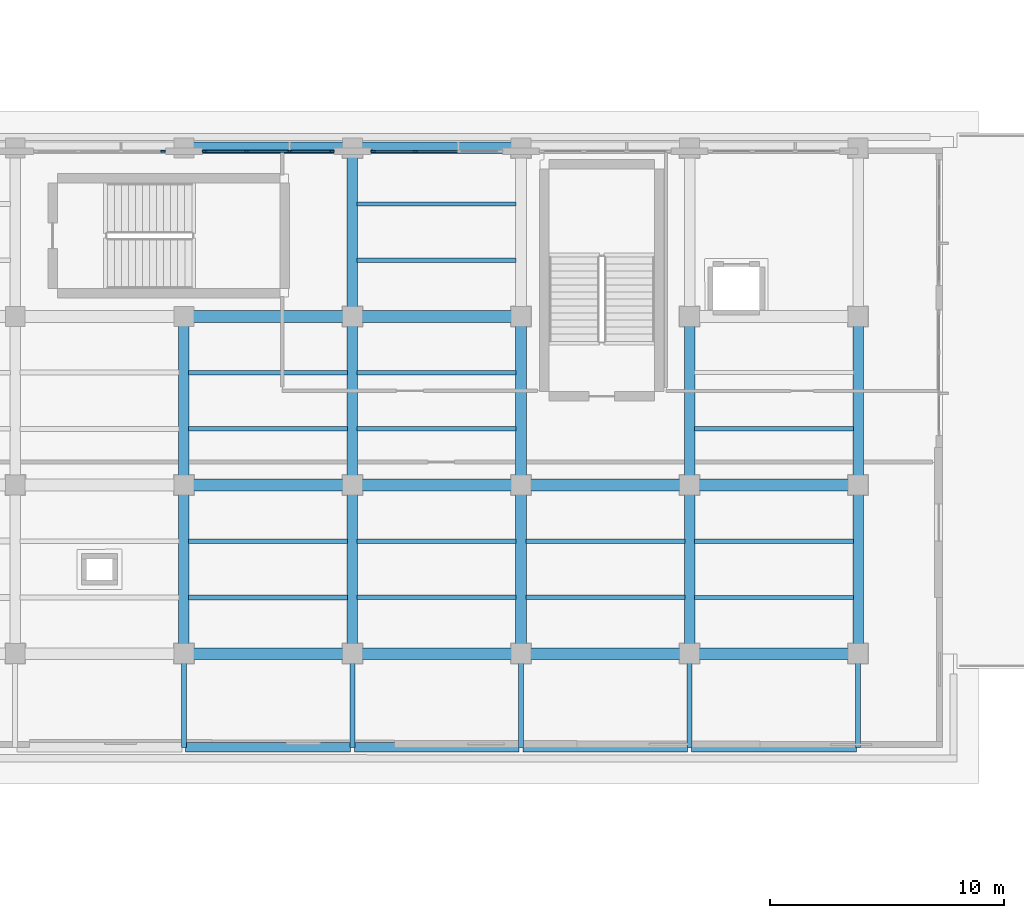
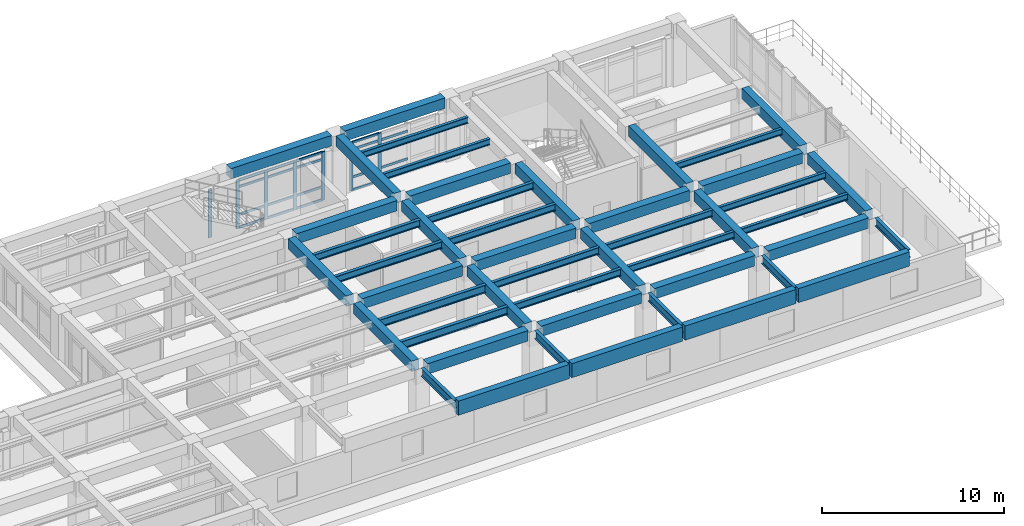
# One storey, part 57 of 98: 47 beams, 26 members, 3 elements without a shape of their own.
"""IFC4 building model written with IfcOpenShell, lengths in metres."""

import ifcopenshell
import ifcopenshell.guid

model = None  # the IFC model being written
_history = None  # IfcOwnerHistory: only IFC2X3 demands one
_inside = {}  # id of a spatial element -> (the spatial element, [elements in it])
_under = {}  # id of a project, library or spatial element -> (it, [spatial elements below it])
_declared = {}  # id of a project -> (the project, [libraries it declares])
_typed = {}  # id of a type object -> (the type object, [elements of that type])
_made_of = {}  # id of a material, layer set ... -> (it, [elements and type objects made of it])


def new_model(schema):
    """Start an empty IFC model of exactly this schema.

    Asked for "IFC4X3", IfcOpenShell would pick the latest addendum, in which some entities
    have other attributes; the version numbers below select the first issue.
    IFC2X3 requires an IfcOwnerHistory on every rooted entity: one is made here for all.
    """
    global model, _history
    if schema == "IFC4X3":
        model = ifcopenshell.file(schema_version=(4, 3, 0, 0))
    else:
        model = ifcopenshell.file(schema=schema)
    _inside.clear()
    _under.clear()
    _declared.clear()
    _typed.clear()
    _made_of.clear()
    _history = None
    if model.schema == "IFC2X3":
        org = make("IfcOrganization", Name="unknown")
        user = make(
            "IfcPersonAndOrganization",
            ThePerson=make("IfcPerson", FamilyName="unknown"),
            TheOrganization=org,
        )
        app = make(
            "IfcApplication",
            ApplicationDeveloper=org,
            Version="unknown",
            ApplicationFullName="unknown",
            ApplicationIdentifier="unknown",
        )
        _history = make(
            "IfcOwnerHistory",
            OwningUser=user,
            OwningApplication=app,
            ChangeAction="ADDED",
            CreationDate=0,
        )
    return model


def make(cls, **values):
    """One entity of the class cls with the attributes given. An attribute that is None is left unset."""
    return model.create_entity(
        cls, **{name: value for name, value in values.items() if value is not None}
    )


def rooted(cls, **values):
    """An entity with a GlobalId (a new one), such as an element, a storey or a relation."""
    return make(cls, GlobalId=ifcopenshell.guid.new(), OwnerHistory=_history, **values)


def si_unit(unit_type, name, prefix=None):
    """IfcSIUnit, for example si_unit("LENGTHUNIT", "METRE", prefix="MILLI")."""
    return make("IfcSIUnit", UnitType=unit_type, Prefix=prefix, Name=name)


def assignment(units):
    """IfcUnitAssignment: the units of a project."""
    return None if units is None else make("IfcUnitAssignment", Units=units)


def point(xyz):
    """IfcCartesianPoint."""
    return None if xyz is None else make("IfcCartesianPoint", Coordinates=xyz)


def direction(xyz):
    """IfcDirection."""
    return None if xyz is None else make("IfcDirection", DirectionRatios=xyz)


def frame(location, z_axis=None, x_axis=None):
    """IfcAxis2Placement3D, a coordinate frame: its origin and axes. An axis left out is left unset."""
    return make(
        "IfcAxis2Placement3D",
        Location=point(location),
        Axis=direction(z_axis),
        RefDirection=direction(x_axis),
    )


def frame_2d(location, x_axis=None):
    """IfcAxis2Placement2D, a coordinate frame in the plane: its origin and x axis."""
    return make(
        "IfcAxis2Placement2D", Location=point(location), RefDirection=direction(x_axis)
    )


def origin():
    """The frame at (0, 0, 0) with its axes left unset."""
    return frame((0.0, 0.0, 0.0))


def origin_2d():
    """The frame at (0, 0) in the plane with its x axis left unset."""
    return frame_2d((0.0, 0.0))


def place(relative_to, where):
    """IfcLocalPlacement: puts the frame where relative to a parent placement (None: the world)."""
    return make(
        "IfcLocalPlacement", PlacementRelTo=relative_to, RelativePlacement=where
    )


def context(
    kind, dimensions, precision=None, world=None, true_north=None, identifier=None
):
    """IfcGeometricRepresentationContext, for example the 3D "Model" context."""
    return make(
        "IfcGeometricRepresentationContext",
        ContextIdentifier=identifier,
        ContextType=kind,
        CoordinateSpaceDimension=dimensions,
        Precision=precision,
        WorldCoordinateSystem=world,
        TrueNorth=true_north,
    )


def subcontext(parent, identifier, kind, view, scale=None):
    """IfcGeometricRepresentationSubContext, for example "Body" below "Model"."""
    return make(
        "IfcGeometricRepresentationSubContext",
        ContextIdentifier=identifier,
        ContextType=kind,
        ParentContext=parent,
        TargetScale=scale,
        TargetView=view,
    )


def project(units=None, contexts=None):
    """IfcProject with its units and contexts."""
    return rooted(
        "IfcProject",
        Name="project",
        RepresentationContexts=contexts,
        UnitsInContext=assignment(units),
    )


def spatial(cls, under=None, at=None, **own):
    """A site, building, storey or space (cls), placed at a placement, below another one or the project."""
    s = rooted(cls, ObjectPlacement=at, **own)
    if under is not None:
        _under.setdefault(under.id(), (under, []))[1].append(s)
    return s


def profile(cls, at=None, kind="AREA", **sizes):
    """A parametric profile (cls). Its sizes go by their IFC names, for example OverallWidth=200.0."""
    return make(cls, ProfileType=kind, Position=at, **sizes)


def rectangle(**sizes):
    """IfcRectangleProfileDef."""
    return profile("IfcRectangleProfileDef", **sizes)


def i_section(**sizes):
    """IfcIShapeProfileDef."""
    return profile("IfcIShapeProfileDef", **sizes)


def extrude(swept, where, along, depth):
    """IfcExtrudedAreaSolid: the profile swept, set in the frame where, extruded along a direction by depth."""
    return make(
        "IfcExtrudedAreaSolid",
        SweptArea=swept,
        Position=where,
        ExtrudedDirection=direction(along),
        Depth=depth,
    )


def shape(context_of_items, identifier, shape_type, items):
    """IfcShapeRepresentation: the items that make up one representation, for example the "Body"."""
    return make(
        "IfcShapeRepresentation",
        ContextOfItems=context_of_items,
        RepresentationIdentifier=identifier,
        RepresentationType=shape_type,
        Items=items,
    )


def material(Name=None, Category=None):
    """IfcMaterial."""
    return make("IfcMaterial", Name=Name, Category=Category)


def layer(
    of_material, thickness, ventilated=None, Name=None, Category=None, Priority=None
):
    """IfcMaterialLayer: one layer of a wall or slab, of a material (None: an air gap)."""
    return make(
        "IfcMaterialLayer",
        Material=of_material,
        LayerThickness=thickness,
        IsVentilated=ventilated,
        Name=Name,
        Category=Category,
        Priority=Priority,
    )


def layer_set(layers, Name=None):
    """IfcMaterialLayerSet."""
    return make("IfcMaterialLayerSet", MaterialLayers=layers, LayerSetName=Name)


def material_profile(
    of_material, cross_section, Name=None, Category=None, Priority=None
):
    """IfcMaterialProfile: a cross section and its material."""
    return make(
        "IfcMaterialProfile",
        Name=Name,
        Material=of_material,
        Profile=cross_section,
        Priority=Priority,
        Category=Category,
    )


def profile_set(profiles, Name=None, composite=None):
    """IfcMaterialProfileSet."""
    return make(
        "IfcMaterialProfileSet",
        Name=Name,
        MaterialProfiles=profiles,
        CompositeProfile=composite,
    )


def made_of(thing, what):
    """Note that an element or type object is made of a material, layer set ...; save() writes the relation."""
    if what is not None:
        _made_of.setdefault(what.id(), (what, []))[1].append(thing)
    return thing


def type_object(cls, material=None, **own):
    """A type object (cls), such as IfcWallType, which elements share."""
    return made_of(rooted(cls, **own), material)


def element(
    cls,
    number,
    at=None,
    inside=None,
    cuts=None,
    type_object=None,
    material=None,
    context=None,
    identifier="Body",
    shape_type=None,
    held_by="IfcProductDefinitionShape",
    body=None,
    shapes=None,
    **own,
):
    """One element of the class cls, such as IfcWall. Its Tag is "e" and its number.

    at: its placement. inside: the storey or other place that contains it. cuts: it is an
    opening in that element (IfcRelVoidsElement). A single representation is given by context,
    identifier, shape_type and body (its items); several are given by shapes. held_by: the class
    of the entity that holds the representations. save() writes the other relations.
    """
    e = rooted(cls, Tag="e%d" % number, ObjectPlacement=at, **own)
    if body is not None:
        shapes = [shape(context, identifier, shape_type, body)]
    if shapes is not None:
        e.Representation = make(held_by, Representations=shapes)
    if inside is not None:
        _inside.setdefault(inside.id(), (inside, []))[1].append(e)
    if cuts is not None:
        rooted(
            "IfcRelVoidsElement", RelatingBuildingElement=cuts, RelatedOpeningElement=e
        )
    if type_object is not None:
        _typed.setdefault(type_object.id(), (type_object, []))[1].append(e)
    return made_of(e, material)


def aggregate(whole, parts):
    """IfcRelAggregates: a whole, such as a stair, and the parts it consists of."""
    return rooted("IfcRelAggregates", RelatingObject=whole, RelatedObjects=parts)


def save(model, path):
    """Write the relations noted so far, then the file.

    IfcRelAggregates (storeys below a building ...), IfcRelContainedInSpatialStructure (elements
    in a storey), IfcRelDefinesByType, IfcRelAssociatesMaterial and IfcRelDeclares: one each for
    every whole, place, type object, material and project.
    """
    for whole, parts in _under.values():
        aggregate(whole, parts)
    for where, things in _inside.values():
        rooted(
            "IfcRelContainedInSpatialStructure",
            RelatedElements=things,
            RelatingStructure=where,
        )
    for kind, things in _typed.values():
        rooted("IfcRelDefinesByType", RelatedObjects=things, RelatingType=kind)
    for what, things in _made_of.values():
        rooted("IfcRelAssociatesMaterial", RelatedObjects=things, RelatingMaterial=what)
    for by, libraries in _declared.values():
        rooted("IfcRelDeclares", RelatingContext=by, RelatedDefinitions=libraries)
    model.write(path)


model = new_model("IFC4")

# Units and contexts
model_context = context("Model", 3, precision=1e-05, world=origin(), true_north=direction((0.0, 1.0)))
body_context = subcontext(model_context, "Body", "Model", "MODEL_VIEW")
ifc_project = project(units=[si_unit("LENGTHUNIT", "METRE"), si_unit("AREAUNIT", "SQUARE_METRE"), si_unit("VOLUMEUNIT", "CUBIC_METRE"), si_unit("PLANEANGLEUNIT", "RADIAN"), si_unit("MASSUNIT", "GRAM", prefix="KILO")], contexts=[model_context])

# Site, building, storey
site_placement = place(None, origin())
site = spatial("IfcSite", under=ifc_project, at=site_placement, CompositionType="ELEMENT")
building_placement = place(site_placement, origin())
building = spatial("IfcBuilding", under=site, at=building_placement, Name="Solenvale Faculty of Natural Sciences", CompositionType="ELEMENT")
storey_placement = place(building_placement, frame((0.0, 0.0, 9.0)))
storey = spatial("IfcBuildingStorey", under=building, at=storey_placement, Name="L02", CompositionType="ELEMENT", Elevation=9.0)

# Beams
ifc_material_1 = material(Name="Concrete 40 MPa", Category="concrete")
ifc_material_profile_1 = material_profile(ifc_material_1, rectangle(XDim=0.449951171875, YDim=0.699951171875, at=origin_2d()), Name="RC-BM-450x700")
ifc_profile_set_1 = profile_set([ifc_material_profile_1], Name="Concrete 40 MPa")
beam_type_1 = type_object("IfcBeamType", Name="BM-RC-450x700", PredefinedType="BEAM", material=ifc_profile_set_1)
beam_1_placement = place(storey_placement, frame((129.60009765625, 36.405029296875, 3.8701171875), z_axis=(0.0, 1.0, 0.0), x_axis=(-1.0, 0.0, 0.0)))
element("IfcBeam", 1, at=beam_1_placement, inside=storey, type_object=beam_type_1, Name="L02 Y-Girder X129.6 (36.0..43.2)", PredefinedType="BEAM", context=body_context, shape_type="SweptSolid", body=[
    extrude(rectangle(XDim=0.449951171875, YDim=0.699951171875, at=origin_2d()), origin(), (0.0, 0.0, 1.0), 6.389892578125),
])
beam_2_placement = place(storey_placement, frame((129.60009765625, 43.60498046875, 3.8701171875), z_axis=(0.0, 1.0, 0.0), x_axis=(-1.0, 0.0, 0.0)))
element("IfcBeam", 2, at=beam_2_placement, inside=storey, type_object=beam_type_1, Name="L02 Y-Girder X129.6 (43.2..50.4)", PredefinedType="BEAM", context=body_context, shape_type="SweptSolid", body=[
    extrude(rectangle(XDim=0.449951171875, YDim=0.699951171875, at=origin_2d()), origin(), (0.0, 0.0, 1.0), 6.39013671875),
])
beam_3_placement = place(storey_placement, frame((136.800048828125, 36.405029296875, 3.8701171875), z_axis=(0.0, 1.0, 0.0), x_axis=(-1.0, 0.0, 0.0)))
element("IfcBeam", 3, at=beam_3_placement, inside=storey, type_object=beam_type_1, Name="L02 Y-Girder X136.8 (36.0..43.2)", PredefinedType="BEAM", context=body_context, shape_type="SweptSolid", body=[
    extrude(rectangle(XDim=0.449951171875, YDim=0.699951171875, at=origin_2d()), origin(), (0.0, 0.0, 1.0), 6.389892578125),
])
for number, where, z_axis, x_axis, name in (
    (4, (136.800048828125, 43.60498046875, 3.8701171875), (0.0, 1.0, 0.0), (-1.0, 0.0, 0.0), "L02 Y-Girder X136.8 (43.2..50.4)"),
    (5, (136.800048828125, 50.804931640625, 3.8701171875), (0.0, 1.0, 0.0), (-1.0, 0.0, 0.0), "L02 Y-Girder X136.8 (50.4..57.6)"),
):
    element("IfcBeam", number, at=place(storey_placement, frame(where, z_axis=z_axis, x_axis=x_axis)), inside=storey, type_object=beam_type_1, Name=name, PredefinedType="BEAM", context=body_context, shape_type="SweptSolid", body=[
        extrude(rectangle(XDim=0.449951171875, YDim=0.699951171875, at=origin_2d()), origin(), (0.0, 0.0, 1.0), 6.39013671875),
    ])
beam_4_placement = place(storey_placement, frame((144.0, 36.405029296875, 3.8701171875), z_axis=(0.0, 1.0, 0.0), x_axis=(-1.0, 0.0, 0.0)))
element("IfcBeam", 6, at=beam_4_placement, inside=storey, type_object=beam_type_1, Name="L02 Y-Girder X144.0 (36.0..43.2)", PredefinedType="BEAM", context=body_context, shape_type="SweptSolid", body=[
    extrude(rectangle(XDim=0.449951171875, YDim=0.699951171875, at=origin_2d()), origin(), (0.0, 0.0, 1.0), 6.389892578125),
])
beam_5_placement = place(storey_placement, frame((144.0, 43.60498046875, 3.8701171875), z_axis=(0.0, 1.0, 0.0), x_axis=(-1.0, 0.0, 0.0)))
element("IfcBeam", 7, at=beam_5_placement, inside=storey, type_object=beam_type_1, Name="L02 Y-Girder X144.0 (43.2..50.4)", PredefinedType="BEAM", context=body_context, shape_type="SweptSolid", body=[
    extrude(rectangle(XDim=0.449951171875, YDim=0.699951171875, at=origin_2d()), origin(), (0.0, 0.0, 1.0), 6.39013671875),
])
beam_6_placement = place(storey_placement, frame((151.199951171875, 36.405029296875, 3.8701171875), z_axis=(0.0, 1.0, 0.0), x_axis=(-1.0, 0.0, 0.0)))
element("IfcBeam", 8, at=beam_6_placement, inside=storey, type_object=beam_type_1, Name="L02 Y-Girder X151.2 (36.0..43.2)", PredefinedType="BEAM", context=body_context, shape_type="SweptSolid", body=[
    extrude(rectangle(XDim=0.449951171875, YDim=0.699951171875, at=origin_2d()), origin(), (0.0, 0.0, 1.0), 6.389892578125),
])
beam_7_placement = place(storey_placement, frame((151.199951171875, 43.60498046875, 3.8701171875), z_axis=(0.0, 1.0, 0.0), x_axis=(-1.0, 0.0, 0.0)))
element("IfcBeam", 9, at=beam_7_placement, inside=storey, type_object=beam_type_1, Name="L02 Y-Girder X151.2 (43.2..50.4)", PredefinedType="BEAM", context=body_context, shape_type="SweptSolid", body=[
    extrude(rectangle(XDim=0.449951171875, YDim=0.699951171875, at=origin_2d()), origin(), (0.0, 0.0, 1.0), 6.39013671875),
])
beam_8_placement = place(storey_placement, frame((158.39990234375, 36.405029296875, 3.8701171875), z_axis=(0.0, 1.0, 0.0), x_axis=(-1.0, 0.0, 0.0)))
element("IfcBeam", 10, at=beam_8_placement, inside=storey, type_object=beam_type_1, Name="L02 Y-Girder X158.4 (36.0..43.2)", PredefinedType="BEAM", context=body_context, shape_type="SweptSolid", body=[
    extrude(rectangle(XDim=0.449951171875, YDim=0.699951171875, at=origin_2d()), origin(), (0.0, 0.0, 1.0), 6.389892578125),
])
beam_9_placement = place(storey_placement, frame((158.39990234375, 43.60498046875, 3.8701171875), z_axis=(0.0, 1.0, 0.0), x_axis=(-1.0, 0.0, 0.0)))
element("IfcBeam", 11, at=beam_9_placement, inside=storey, type_object=beam_type_1, Name="L02 Y-Girder X158.4 (43.2..50.4)", PredefinedType="BEAM", context=body_context, shape_type="SweptSolid", body=[
    extrude(rectangle(XDim=0.449951171875, YDim=0.699951171875, at=origin_2d()), origin(), (0.0, 0.0, 1.0), 6.39013671875),
])
ifc_material_profile_2 = material_profile(ifc_material_1, rectangle(XDim=0.5, YDim=0.699951171875, at=origin_2d()), Name="RC-BM-500x700")
ifc_profile_set_2 = profile_set([ifc_material_profile_2], Name="Concrete 40 MPa")
beam_type_2 = type_object("IfcBeamType", Name="BM-RC-500x700", PredefinedType="BEAM", material=ifc_profile_set_2)
beam_10_placement = place(storey_placement, frame((130.0048828125, 36.0, 3.8701171875), z_axis=(1.0, 0.0, 0.0), x_axis=(0.0, 1.0, 0.0)))
element("IfcBeam", 12, at=beam_10_placement, inside=storey, type_object=beam_type_2, Name="L02 X-Girder Y36.0 (129.6..136.8)", PredefinedType="BEAM", context=body_context, shape_type="SweptSolid", body=[
    extrude(rectangle(XDim=0.5, YDim=0.699951171875, at=origin_2d()), origin(), (0.0, 0.0, 1.0), 6.39013671875),
])
for number, where, z_axis, x_axis, name in (
    (13, (137.205078125, 36.0, 3.8701171875), (1.0, 0.0, 0.0), (0.0, 1.0, 0.0), "L02 X-Girder Y36.0 (136.8..144.0)"),
    (14, (144.405029296875, 36.0, 3.8701171875), (1.0, 0.0, 0.0), (0.0, 1.0, 0.0), "L02 X-Girder Y36.0 (144.0..151.2)"),
):
    element("IfcBeam", number, at=place(storey_placement, frame(where, z_axis=z_axis, x_axis=x_axis)), inside=storey, type_object=beam_type_2, Name=name, PredefinedType="BEAM", context=body_context, shape_type="SweptSolid", body=[
        extrude(rectangle(XDim=0.5, YDim=0.699951171875, at=origin_2d()), origin(), (0.0, 0.0, 1.0), 6.389892578125),
    ])
for number, where, z_axis, x_axis, name in (
    (15, (151.60498046875, 36.0, 3.8701171875), (1.0, 0.0, 0.0), (0.0, 1.0, 0.0), "L02 X-Girder Y36.0 (151.2..158.4)"),
    (16, (130.0048828125, 43.199951171875, 3.8701171875), (1.0, 0.0, 0.0), (0.0, 1.0, 0.0), "L02 X-Girder Y43.2 (129.6..136.8)"),
):
    element("IfcBeam", number, at=place(storey_placement, frame(where, z_axis=z_axis, x_axis=x_axis)), inside=storey, type_object=beam_type_2, Name=name, PredefinedType="BEAM", context=body_context, shape_type="SweptSolid", body=[
        extrude(rectangle(XDim=0.5, YDim=0.699951171875, at=origin_2d()), origin(), (0.0, 0.0, 1.0), 6.39013671875),
    ])
for number, where, z_axis, x_axis, name in (
    (17, (137.205078125, 43.199951171875, 3.8701171875), (1.0, 0.0, 0.0), (0.0, 1.0, 0.0), "L02 X-Girder Y43.2 (136.8..144.0)"),
    (18, (144.405029296875, 43.199951171875, 3.8701171875), (1.0, 0.0, 0.0), (0.0, 1.0, 0.0), "L02 X-Girder Y43.2 (144.0..151.2)"),
):
    element("IfcBeam", number, at=place(storey_placement, frame(where, z_axis=z_axis, x_axis=x_axis)), inside=storey, type_object=beam_type_2, Name=name, PredefinedType="BEAM", context=body_context, shape_type="SweptSolid", body=[
        extrude(rectangle(XDim=0.5, YDim=0.699951171875, at=origin_2d()), origin(), (0.0, 0.0, 1.0), 6.389892578125),
    ])
for number, where, z_axis, x_axis, name in (
    (19, (151.60498046875, 43.199951171875, 3.8701171875), (1.0, 0.0, 0.0), (0.0, 1.0, 0.0), "L02 X-Girder Y43.2 (151.2..158.4)"),
    (20, (130.0048828125, 50.39990234375, 3.8701171875), (1.0, 0.0, 0.0), (0.0, 1.0, 0.0), "L02 X-Girder Y50.4 (129.6..136.8)"),
):
    element("IfcBeam", number, at=place(storey_placement, frame(where, z_axis=z_axis, x_axis=x_axis)), inside=storey, type_object=beam_type_2, Name=name, PredefinedType="BEAM", context=body_context, shape_type="SweptSolid", body=[
        extrude(rectangle(XDim=0.5, YDim=0.699951171875, at=origin_2d()), origin(), (0.0, 0.0, 1.0), 6.39013671875),
    ])
beam_11_placement = place(storey_placement, frame((137.205078125, 50.39990234375, 3.8701171875), z_axis=(1.0, 0.0, 0.0), x_axis=(0.0, 1.0, 0.0)))
element("IfcBeam", 21, at=beam_11_placement, inside=storey, type_object=beam_type_2, Name="L02 X-Girder Y50.4 (136.8..144.0)", PredefinedType="BEAM", context=body_context, shape_type="SweptSolid", body=[
    extrude(rectangle(XDim=0.5, YDim=0.699951171875, at=origin_2d()), origin(), (0.0, 0.0, 1.0), 6.389892578125),
])
beam_12_placement = place(storey_placement, frame((130.0048828125, 57.60009765625, 3.8701171875), z_axis=(1.0, 0.0, 0.0), x_axis=(0.0, 1.0, 0.0)))
element("IfcBeam", 22, at=beam_12_placement, inside=storey, type_object=beam_type_2, Name="L02 X-Girder Y57.6 (129.6..136.8)", PredefinedType="BEAM", context=body_context, shape_type="SweptSolid", body=[
    extrude(rectangle(XDim=0.5, YDim=0.699951171875, at=origin_2d()), origin(), (0.0, 0.0, 1.0), 6.39013671875),
])
beam_13_placement = place(storey_placement, frame((137.205078125, 57.60009765625, 3.8701171875), z_axis=(1.0, 0.0, 0.0), x_axis=(0.0, 1.0, 0.0)))
element("IfcBeam", 23, at=beam_13_placement, inside=storey, type_object=beam_type_2, Name="L02 X-Girder Y57.6 (136.8..144.0)", PredefinedType="BEAM", context=body_context, shape_type="SweptSolid", body=[
    extrude(rectangle(XDim=0.5, YDim=0.699951171875, at=origin_2d()), origin(), (0.0, 0.0, 1.0), 6.389892578125),
])
ifc_material_2 = material(Name="Architectural bronze concrete 40 MPa", Category="concrete")
ifc_material_profile_3 = material_profile(ifc_material_2, rectangle(XDim=0.39990234375, YDim=0.949951171875, at=origin_2d()), Name="RC-SPN-400x950")
ifc_profile_set_3 = profile_set([ifc_material_profile_3], Name="Architectural bronze concrete 40 MPa")
beam_type_3 = type_object("IfcBeamType", Name="BM-SPN-BRZ-950", PredefinedType="SPANDREL", material=ifc_profile_set_3)
for number, where, z_axis, x_axis, name in (
    (24, (129.679931640625, 32.0, 3.7451171875), (1.0, 0.0, 0.0), (0.0, 1.0, 0.0), "L03 Commons Sliding-Tray South Bronze Fascia 2"),
    (25, (136.8798828125, 32.0, 3.7451171875), (1.0, 0.0, 0.0), (0.0, 1.0, 0.0), "L03 Commons Sliding-Tray South Bronze Fascia 3"),
    (26, (144.080078125, 32.0, 3.7451171875), (1.0, 0.0, 0.0), (0.0, 1.0, 0.0), "L03 Commons Sliding-Tray South Bronze Fascia 4"),
    (27, (151.280029296875, 32.0, 3.7451171875), (1.0, 0.0, 0.0), (0.0, 1.0, 0.0), "L03 Commons Sliding-Tray South Bronze Fascia 5"),
):
    element("IfcBeam", number, at=place(storey_placement, frame(where, z_axis=z_axis, x_axis=x_axis)), inside=storey, type_object=beam_type_3, Name=name, PredefinedType="SPANDREL", context=body_context, shape_type="SweptSolid", body=[
        extrude(rectangle(XDim=0.39990234375, YDim=0.949951171875, at=origin_2d()), origin(), (0.0, 0.0, 1.0), 7.0400390625),
    ])
ifc_material_3 = material(Name="Steel S355", Category="steel")
ifc_material_profile_4 = material_profile(ifc_material_3, i_section(OverallWidth=0.178955078125, OverallDepth=0.409912109375, WebThickness=0.0087890625, FlangeThickness=0.014404296875, FilletRadius=0.01611328125, at=origin_2d()), Name="W410x67")
ifc_profile_set_4 = profile_set([ifc_material_profile_4], Name="Steel S355")
beam_type_4 = type_object("IfcBeamType", Name="BM-STL-W410x67", PredefinedType="JOIST", material=ifc_profile_set_4)
beam_14_placement = place(storey_placement, frame((151.405029296875, 45.60009765625, 4.014892578125), z_axis=(1.0, 0.0, 0.0), x_axis=(0.0, 1.0, 0.0)))
element("IfcBeam", 28, at=beam_14_placement, inside=storey, type_object=beam_type_4, Name="L02 Composite Floor Joist (22,7).1", PredefinedType="JOIST", context=body_context, shape_type="SweptSolid", body=[
    extrude(i_section(OverallWidth=0.178955078125, OverallDepth=0.409912109375, WebThickness=0.0087890625, FlangeThickness=0.014404296875, FilletRadius=0.01611328125, at=origin_2d()), origin(), (0.0, 0.0, 1.0), 6.7900390625),
])
ifc_material_profile_5 = material_profile(ifc_material_3, i_section(OverallWidth=0.180908203125, OverallDepth=0.4169921875, WebThickness=0.010986328125, FlangeThickness=0.018310546875, FilletRadius=0.01611328125, at=origin_2d()), Name="W410x85")
ifc_profile_set_5 = profile_set([ifc_material_profile_5], Name="Steel S355")
beam_type_5 = type_object("IfcBeamType", Name="BM-STL-W410x85", PredefinedType="JOIST", material=ifc_profile_set_5)
for number, where, z_axis, x_axis, name in (
    (29, (137.0048828125, 52.800048828125, 4.011474609375), (1.0, 0.0, 0.0), (0.0, 1.0, 0.0), "L02 Composite Floor Joist (20,8).1"),
    (30, (137.0048828125, 55.199951171875, 4.011474609375), (1.0, 0.0, 0.0), (0.0, 1.0, 0.0), "L02 Composite Floor Joist (20,8).2"),
    (31, (151.405029296875, 38.39990234375, 4.011474609375), (1.0, 0.0, 0.0), (0.0, 1.0, 0.0), "L02 Composite Floor Joist (22,6).1"),
    (32, (151.405029296875, 40.800048828125, 4.011474609375), (1.0, 0.0, 0.0), (0.0, 1.0, 0.0), "L02 Composite Floor Joist (22,6).2"),
):
    element("IfcBeam", number, at=place(storey_placement, frame(where, z_axis=z_axis, x_axis=x_axis)), inside=storey, type_object=beam_type_5, Name=name, PredefinedType="JOIST", context=body_context, shape_type="SweptSolid", body=[
        extrude(i_section(OverallWidth=0.180908203125, OverallDepth=0.4169921875, WebThickness=0.010986328125, FlangeThickness=0.018310546875, FilletRadius=0.01611328125, at=origin_2d()), origin(), (0.0, 0.0, 1.0), 6.7900390625),
    ])
ifc_material_profile_6 = material_profile(ifc_material_3, i_section(OverallWidth=0.194091796875, OverallDepth=0.468994140625, WebThickness=0.0126953125, FlangeThickness=0.0205078125, FilletRadius=0.01806640625, at=origin_2d()), Name="W460x106")
ifc_profile_set_6 = profile_set([ifc_material_profile_6], Name="Steel S355")
beam_type_6 = type_object("IfcBeamType", Name="BM-STL-W460x106", PredefinedType="JOIST", material=ifc_profile_set_6)
for number, where, z_axis, x_axis, name in (
    (33, (129.804931640625, 45.60009765625, 3.985595703125), (1.0, 0.0, 0.0), (0.0, 1.0, 0.0), "L02 Composite Floor Joist (19,7).1"),
    (34, (129.804931640625, 48.0, 3.985595703125), (1.0, 0.0, 0.0), (0.0, 1.0, 0.0), "L02 Composite Floor Joist (19,7).2"),
    (35, (137.0048828125, 38.39990234375, 3.985595703125), (1.0, 0.0, 0.0), (0.0, 1.0, 0.0), "L02 Composite Floor Joist (20,6).1"),
    (36, (137.0048828125, 40.800048828125, 3.985595703125), (1.0, 0.0, 0.0), (0.0, 1.0, 0.0), "L02 Composite Floor Joist (20,6).2"),
):
    element("IfcBeam", number, at=place(storey_placement, frame(where, z_axis=z_axis, x_axis=x_axis)), inside=storey, type_object=beam_type_6, Name=name, PredefinedType="JOIST", context=body_context, shape_type="SweptSolid", body=[
        extrude(i_section(OverallWidth=0.194091796875, OverallDepth=0.468994140625, WebThickness=0.0126953125, FlangeThickness=0.0205078125, FilletRadius=0.01806640625, at=origin_2d()), origin(), (0.0, 0.0, 1.0), 6.7900390625),
    ])
ifc_material_profile_7 = material_profile(ifc_material_3, i_section(OverallWidth=0.19091796875, OverallDepth=0.4599609375, WebThickness=0.010009765625, FlangeThickness=0.01611328125, FilletRadius=0.01806640625, at=origin_2d()), Name="W460x82")
ifc_profile_set_7 = profile_set([ifc_material_profile_7], Name="Steel S355")
beam_type_7 = type_object("IfcBeamType", Name="BM-STL-W460x82", PredefinedType="JOIST", material=ifc_profile_set_7)
for number, where, z_axis, x_axis, name in (
    (37, (137.0048828125, 45.60009765625, 3.989990234375), (1.0, 0.0, 0.0), (0.0, 1.0, 0.0), "L02 Composite Floor Joist (20,7).1"),
    (38, (137.0048828125, 48.0, 3.989990234375), (1.0, 0.0, 0.0), (0.0, 1.0, 0.0), "L02 Composite Floor Joist (20,7).2"),
    (39, (144.205078125, 38.39990234375, 3.989990234375), (1.0, 0.0, 0.0), (0.0, 1.0, 0.0), "L02 Composite Floor Joist (21,6).1"),
    (40, (144.205078125, 40.800048828125, 3.989990234375), (1.0, 0.0, 0.0), (0.0, 1.0, 0.0), "L02 Composite Floor Joist (21,6).2"),
):
    element("IfcBeam", number, at=place(storey_placement, frame(where, z_axis=z_axis, x_axis=x_axis)), inside=storey, type_object=beam_type_7, Name=name, PredefinedType="JOIST", context=body_context, shape_type="SweptSolid", body=[
        extrude(i_section(OverallWidth=0.19091796875, OverallDepth=0.4599609375, WebThickness=0.010009765625, FlangeThickness=0.01611328125, FilletRadius=0.01806640625, at=origin_2d()), origin(), (0.0, 0.0, 1.0), 6.7900390625),
    ])
ifc_material_profile_8 = material_profile(ifc_material_3, i_section(OverallWidth=0.2119140625, OverallDepth=0.5439453125, WebThickness=0.01318359375, FlangeThickness=0.021240234375, FilletRadius=0.01904296875, at=origin_2d()), Name="W530x123")
ifc_profile_set_8 = profile_set([ifc_material_profile_8], Name="Steel S355")
beam_type_8 = type_object("IfcBeamType", Name="BM-STL-W530x123", PredefinedType="BEAM", material=ifc_profile_set_8)
for number, where, z_axis, x_axis, name in (
    (41, (129.60009765625, 35.594970703125, 3.947998046875), (0.0, -1.0, 0.0), (1.0, 0.0, 0.0), "L02 V2 Cantilever Tray Girder X129.6"),
    (42, (136.800048828125, 35.594970703125, 3.947998046875), (0.0, -1.0, 0.0), (1.0, 0.0, 0.0), "L02 V2 Cantilever Tray Girder X136.8"),
    (43, (144.0, 35.594970703125, 3.947998046875), (0.0, -1.0, 0.0), (1.0, 0.0, 0.0), "L02 V2 Cantilever Tray Girder X144.0"),
    (44, (151.199951171875, 35.594970703125, 3.947998046875), (0.0, -1.0, 0.0), (1.0, 0.0, 0.0), "L02 V2 Cantilever Tray Girder X151.2"),
    (45, (158.39990234375, 35.594970703125, 3.947998046875), (0.0, -1.0, 0.0), (1.0, 0.0, 0.0), "L02 V2 Cantilever Tray Girder X158.4"),
):
    element("IfcBeam", number, at=place(storey_placement, frame(where, z_axis=z_axis, x_axis=x_axis)), inside=storey, type_object=beam_type_8, Name=name, PredefinedType="BEAM", context=body_context, shape_type="SweptSolid", body=[
        extrude(i_section(OverallWidth=0.2119140625, OverallDepth=0.5439453125, WebThickness=0.01318359375, FlangeThickness=0.021240234375, FilletRadius=0.01904296875, at=origin_2d()), origin(), (0.0, 0.0, 1.0), 3.594970703125),
    ])
ifc_material_profile_9 = material_profile(ifc_material_3, i_section(OverallWidth=0.208984375, OverallDepth=0.532958984375, WebThickness=0.01025390625, FlangeThickness=0.015625, FilletRadius=0.01904296875, at=origin_2d()), Name="W530x92")
ifc_profile_set_9 = profile_set([ifc_material_profile_9], Name="Steel S355")
beam_type_9 = type_object("IfcBeamType", Name="BM-STL-W530x92", PredefinedType="JOIST", material=ifc_profile_set_9)
for number, where, z_axis, x_axis, name in (
    (46, (129.804931640625, 38.39990234375, 3.95361328125), (1.0, 0.0, 0.0), (0.0, 1.0, 0.0), "L02 Composite Floor Joist (19,6).1"),
    (47, (129.804931640625, 40.800048828125, 3.95361328125), (1.0, 0.0, 0.0), (0.0, 1.0, 0.0), "L02 Composite Floor Joist (19,6).2"),
):
    element("IfcBeam", number, at=place(storey_placement, frame(where, z_axis=z_axis, x_axis=x_axis)), inside=storey, type_object=beam_type_9, Name=name, PredefinedType="JOIST", context=body_context, shape_type="SweptSolid", body=[
        extrude(i_section(OverallWidth=0.208984375, OverallDepth=0.532958984375, WebThickness=0.01025390625, FlangeThickness=0.015625, FilletRadius=0.01904296875, at=origin_2d()), origin(), (0.0, 0.0, 1.0), 6.7900390625),
    ])

# Curtain wall, members
ifc_material_4 = material(Name="Anodised bronze aluminium", Category="aluminium")
ifc_layer = layer(ifc_material_4, 0.199951171875)
ifc_layer_set = layer_set([ifc_layer], Name="Anodised bronze aluminium")
curtain_wall_type = type_object("IfcCurtainWallType", Name="CW-COM-FIN", PredefinedType="USERDEFINED", material=ifc_layer_set)
curtain_wall_1_placement = place(storey_placement, origin())
curtain_wall_1 = element("IfcCurtainWall", 48, at=curtain_wall_1_placement, inside=storey, type_object=curtain_wall_type, Name="L02 Curtain Wall CW-L02-P1-E4-B4", ObjectType="UNITISED CURTAIN WALL", PredefinedType="USERDEFINED")
ifc_material_profile_10 = material_profile(ifc_material_4, rectangle(XDim=0.074951171875, YDim=0.2099609375, at=origin_2d()), Name="ALU-MUL-75x210")
ifc_profile_set_10 = profile_set([ifc_material_profile_10], Name="Anodised bronze aluminium")
member_type_1 = type_object("IfcMemberType", Name="CWM-ALU-75x210", PredefinedType="MULLION", material=ifc_profile_set_10)
member_1_placement = place(storey_placement, frame((139.4833984375, 57.45751953125, 0.0), z_axis=(0.0, 0.0, 1.0), x_axis=(0.0, -1.0, 0.0)))
member_1 = element("IfcMember", 49, at=member_1_placement, type_object=member_type_1, Name="CW-03 mullion 3", PredefinedType="MULLION", context=body_context, shape_type="SweptSolid", body=[
    extrude(rectangle(XDim=0.074951171875, YDim=0.2099609375, at=origin_2d()), origin(), (0.0, 0.0, 1.0), 3.260009765625),
])
member_2_placement = place(storey_placement, frame((137.6875, 57.45751953125, 0.0), z_axis=(0.0, 0.0, 1.0), x_axis=(0.0, -1.0, 0.0)))
member_2 = element("IfcMember", 50, at=member_2_placement, type_object=member_type_1, Name="CW-03 mullion 4", PredefinedType="MULLION", context=body_context, shape_type="SweptSolid", body=[
    extrude(rectangle(XDim=0.074951171875, YDim=0.2099609375, at=origin_2d()), origin(), (0.0, 0.0, 1.0), 3.260009765625),
])

curtain_wall_2_placement = place(storey_placement, origin())
curtain_wall_2 = element("IfcCurtainWall", 51, at=curtain_wall_2_placement, inside=storey, type_object=curtain_wall_type, Name="L02 Curtain Wall CW-L02-P1-E4-B5", ObjectType="UNITISED CURTAIN WALL", PredefinedType="USERDEFINED")
member_3_placement = place(storey_placement, frame((135.91259765625, 57.45751953125, 0.0), z_axis=(0.0, 0.0, 1.0), x_axis=(0.0, -1.0, 0.0)))
member_3 = element("IfcMember", 52, at=member_3_placement, type_object=member_type_1, Name="CW-03 mullion 1", PredefinedType="MULLION", context=body_context, shape_type="SweptSolid", body=[
    extrude(rectangle(XDim=0.074951171875, YDim=0.2099609375, at=origin_2d()), origin(), (0.0, 0.0, 1.0), 3.260009765625),
])
member_4_placement = place(storey_placement, frame((134.11669921875, 57.45751953125, 0.0), z_axis=(0.0, 0.0, 1.0), x_axis=(0.0, -1.0, 0.0)))
member_4 = element("IfcMember", 53, at=member_4_placement, type_object=member_type_1, Name="CW-03 mullion 2", PredefinedType="MULLION", context=body_context, shape_type="SweptSolid", body=[
    extrude(rectangle(XDim=0.074951171875, YDim=0.2099609375, at=origin_2d()), origin(), (0.0, 0.0, 1.0), 3.260009765625),
])
member_5_placement = place(storey_placement, frame((132.283447265625, 57.45751953125, 0.0), z_axis=(0.0, 0.0, 1.0), x_axis=(0.0, -1.0, 0.0)))
member_5 = element("IfcMember", 54, at=member_5_placement, type_object=member_type_1, Name="CW-03 mullion 3", PredefinedType="MULLION", context=body_context, shape_type="SweptSolid", body=[
    extrude(rectangle(XDim=0.074951171875, YDim=0.2099609375, at=origin_2d()), origin(), (0.0, 0.0, 1.0), 3.260009765625),
])
member_6_placement = place(storey_placement, frame((130.487548828125, 57.45751953125, 0.0), z_axis=(0.0, 0.0, 1.0), x_axis=(0.0, -1.0, 0.0)))
member_6 = element("IfcMember", 55, at=member_6_placement, type_object=member_type_1, Name="CW-03 mullion 4", PredefinedType="MULLION", context=body_context, shape_type="SweptSolid", body=[
    extrude(rectangle(XDim=0.074951171875, YDim=0.2099609375, at=origin_2d()), origin(), (0.0, 0.0, 1.0), 3.260009765625),
])

# Curtain wall, member
curtain_wall_3_placement = place(storey_placement, origin())
curtain_wall_3 = element("IfcCurtainWall", 56, at=curtain_wall_3_placement, inside=storey, type_object=curtain_wall_type, Name="L02 Curtain Wall CW-L02-P1-E4-B6", ObjectType="UNITISED CURTAIN WALL", PredefinedType="USERDEFINED")
member_7_placement = place(storey_placement, frame((128.71240234375, 57.45751953125, 0.0), z_axis=(0.0, 0.0, 1.0), x_axis=(0.0, -1.0, 0.0)))
member_7 = element("IfcMember", 57, at=member_7_placement, type_object=member_type_1, Name="CW-03 mullion 1", PredefinedType="MULLION", context=body_context, shape_type="SweptSolid", body=[
    extrude(rectangle(XDim=0.074951171875, YDim=0.2099609375, at=origin_2d()), origin(), (0.0, 0.0, 1.0), 3.260009765625),
])
aggregate(curtain_wall_3, [member_7])

# Member
ifc_material_profile_11 = material_profile(ifc_material_4, rectangle(XDim=0.074951171875, YDim=0.155029296875, at=origin_2d()), Name="ALU-TRN-75x155")
ifc_profile_set_11 = profile_set([ifc_material_profile_11], Name="Anodised bronze aluminium")
member_type_2 = type_object("IfcMemberType", Name="CWT-ALU-75x155", PredefinedType="USERDEFINED", material=ifc_profile_set_11)
member_8_placement = place(storey_placement, frame((141.279052734375, 57.45751953125, 0.03759765625), z_axis=(-1.0, 0.0, 0.0), x_axis=(0.0, -1.0, 0.0)))
member_8 = element("IfcMember", 58, at=member_8_placement, type_object=member_type_2, Name="CW-03 transom 2.1", ObjectType="TRANSOM", PredefinedType="USERDEFINED", context=body_context, shape_type="SweptSolid", body=[
    extrude(rectangle(XDim=0.074951171875, YDim=0.155029296875, at=origin_2d()), origin(), (0.0, 0.0, 1.0), 1.75830078125),
])

member_9_placement = place(storey_placement, frame((141.279052734375, 57.45751953125, 0.89990234375), z_axis=(-1.0, 0.0, 0.0), x_axis=(0.0, -1.0, 0.0)))
member_9 = element("IfcMember", 59, at=member_9_placement, type_object=member_type_2, Name="CW-03 transom 2.2", ObjectType="TRANSOM", PredefinedType="USERDEFINED", context=body_context, shape_type="SweptSolid", body=[
    extrude(rectangle(XDim=0.074951171875, YDim=0.155029296875, at=origin_2d()), origin(), (0.0, 0.0, 1.0), 1.75830078125),
])

member_10_placement = place(storey_placement, frame((141.279052734375, 57.45751953125, 2.760009765625), z_axis=(-1.0, 0.0, 0.0), x_axis=(0.0, -1.0, 0.0)))
member_10 = element("IfcMember", 60, at=member_10_placement, type_object=member_type_2, Name="CW-03 transom 2.3", ObjectType="TRANSOM", PredefinedType="USERDEFINED", context=body_context, shape_type="SweptSolid", body=[
    extrude(rectangle(XDim=0.074951171875, YDim=0.155029296875, at=origin_2d()), origin(), (0.0, 0.0, 1.0), 1.75830078125),
])

member_11_placement = place(storey_placement, frame((139.44580078125, 57.45751953125, 0.03759765625), z_axis=(-1.0, 0.0, 0.0), x_axis=(0.0, -1.0, 0.0)))
member_11 = element("IfcMember", 61, at=member_11_placement, type_object=member_type_2, Name="CW-03 transom 3.1", ObjectType="TRANSOM", PredefinedType="USERDEFINED", context=body_context, shape_type="SweptSolid", body=[
    extrude(rectangle(XDim=0.074951171875, YDim=0.155029296875, at=origin_2d()), origin(), (0.0, 0.0, 1.0), 1.720703125),
])

member_12_placement = place(storey_placement, frame((139.44580078125, 57.45751953125, 0.89990234375), z_axis=(-1.0, 0.0, 0.0), x_axis=(0.0, -1.0, 0.0)))
member_12 = element("IfcMember", 62, at=member_12_placement, type_object=member_type_2, Name="CW-03 transom 3.2", ObjectType="TRANSOM", PredefinedType="USERDEFINED", context=body_context, shape_type="SweptSolid", body=[
    extrude(rectangle(XDim=0.074951171875, YDim=0.155029296875, at=origin_2d()), origin(), (0.0, 0.0, 1.0), 1.720703125),
])

member_13_placement = place(storey_placement, frame((139.44580078125, 57.45751953125, 2.760009765625), z_axis=(-1.0, 0.0, 0.0), x_axis=(0.0, -1.0, 0.0)))
member_13 = element("IfcMember", 63, at=member_13_placement, type_object=member_type_2, Name="CW-03 transom 3.3", ObjectType="TRANSOM", PredefinedType="USERDEFINED", context=body_context, shape_type="SweptSolid", body=[
    extrude(rectangle(XDim=0.074951171875, YDim=0.155029296875, at=origin_2d()), origin(), (0.0, 0.0, 1.0), 1.720703125),
])

member_14_placement = place(storey_placement, frame((139.44580078125, 57.45751953125, 3.222412109375), z_axis=(-1.0, 0.0, 0.0), x_axis=(0.0, -1.0, 0.0)))
member_14 = element("IfcMember", 64, at=member_14_placement, type_object=member_type_2, Name="CW-03 transom 3.4", ObjectType="TRANSOM", PredefinedType="USERDEFINED", context=body_context, shape_type="SweptSolid", body=[
    extrude(rectangle(XDim=0.074951171875, YDim=0.155029296875, at=origin_2d()), origin(), (0.0, 0.0, 1.0), 1.720703125),
])

aggregate(curtain_wall_1, [member_1, member_2, member_8, member_9, member_10, member_11, member_12, member_13, member_14])

member_15_placement = place(storey_placement, frame((135.875, 57.45751953125, 0.03759765625), z_axis=(-1.0, 0.0, 0.0), x_axis=(0.0, -1.0, 0.0)))
member_15 = element("IfcMember", 65, at=member_15_placement, type_object=member_type_2, Name="CW-03 transom 1.1", ObjectType="TRANSOM", PredefinedType="USERDEFINED", context=body_context, shape_type="SweptSolid", body=[
    extrude(rectangle(XDim=0.074951171875, YDim=0.155029296875, at=origin_2d()), origin(), (0.0, 0.0, 1.0), 1.720947265625),
])

member_16_placement = place(storey_placement, frame((135.875, 57.45751953125, 0.89990234375), z_axis=(-1.0, 0.0, 0.0), x_axis=(0.0, -1.0, 0.0)))
member_16 = element("IfcMember", 66, at=member_16_placement, type_object=member_type_2, Name="CW-03 transom 1.2", ObjectType="TRANSOM", PredefinedType="USERDEFINED", context=body_context, shape_type="SweptSolid", body=[
    extrude(rectangle(XDim=0.074951171875, YDim=0.155029296875, at=origin_2d()), origin(), (0.0, 0.0, 1.0), 1.720947265625),
])

member_17_placement = place(storey_placement, frame((135.875, 57.45751953125, 2.760009765625), z_axis=(-1.0, 0.0, 0.0), x_axis=(0.0, -1.0, 0.0)))
member_17 = element("IfcMember", 67, at=member_17_placement, type_object=member_type_2, Name="CW-03 transom 1.3", ObjectType="TRANSOM", PredefinedType="USERDEFINED", context=body_context, shape_type="SweptSolid", body=[
    extrude(rectangle(XDim=0.074951171875, YDim=0.155029296875, at=origin_2d()), origin(), (0.0, 0.0, 1.0), 1.720947265625),
])

member_18_placement = place(storey_placement, frame((135.875, 57.45751953125, 3.222412109375), z_axis=(-1.0, 0.0, 0.0), x_axis=(0.0, -1.0, 0.0)))
member_18 = element("IfcMember", 68, at=member_18_placement, type_object=member_type_2, Name="CW-03 transom 1.4", ObjectType="TRANSOM", PredefinedType="USERDEFINED", context=body_context, shape_type="SweptSolid", body=[
    extrude(rectangle(XDim=0.074951171875, YDim=0.155029296875, at=origin_2d()), origin(), (0.0, 0.0, 1.0), 1.720947265625),
])

member_19_placement = place(storey_placement, frame((134.0791015625, 57.45751953125, 0.03759765625), z_axis=(-1.0, 0.0, 0.0), x_axis=(0.0, -1.0, 0.0)))
member_19 = element("IfcMember", 69, at=member_19_placement, type_object=member_type_2, Name="CW-03 transom 2.1", ObjectType="TRANSOM", PredefinedType="USERDEFINED", context=body_context, shape_type="SweptSolid", body=[
    extrude(rectangle(XDim=0.074951171875, YDim=0.155029296875, at=origin_2d()), origin(), (0.0, 0.0, 1.0), 1.75830078125),
])

member_20_placement = place(storey_placement, frame((134.0791015625, 57.45751953125, 0.89990234375), z_axis=(-1.0, 0.0, 0.0), x_axis=(0.0, -1.0, 0.0)))
member_20 = element("IfcMember", 70, at=member_20_placement, type_object=member_type_2, Name="CW-03 transom 2.2", ObjectType="TRANSOM", PredefinedType="USERDEFINED", context=body_context, shape_type="SweptSolid", body=[
    extrude(rectangle(XDim=0.074951171875, YDim=0.155029296875, at=origin_2d()), origin(), (0.0, 0.0, 1.0), 1.75830078125),
])

member_21_placement = place(storey_placement, frame((134.0791015625, 57.45751953125, 2.760009765625), z_axis=(-1.0, 0.0, 0.0), x_axis=(0.0, -1.0, 0.0)))
member_21 = element("IfcMember", 71, at=member_21_placement, type_object=member_type_2, Name="CW-03 transom 2.3", ObjectType="TRANSOM", PredefinedType="USERDEFINED", context=body_context, shape_type="SweptSolid", body=[
    extrude(rectangle(XDim=0.074951171875, YDim=0.155029296875, at=origin_2d()), origin(), (0.0, 0.0, 1.0), 1.75830078125),
])

member_22_placement = place(storey_placement, frame((134.0791015625, 57.45751953125, 3.222412109375), z_axis=(-1.0, 0.0, 0.0), x_axis=(0.0, -1.0, 0.0)))
member_22 = element("IfcMember", 72, at=member_22_placement, type_object=member_type_2, Name="CW-03 transom 2.4", ObjectType="TRANSOM", PredefinedType="USERDEFINED", context=body_context, shape_type="SweptSolid", body=[
    extrude(rectangle(XDim=0.074951171875, YDim=0.155029296875, at=origin_2d()), origin(), (0.0, 0.0, 1.0), 1.75830078125),
])

member_23_placement = place(storey_placement, frame((132.245849609375, 57.45751953125, 0.03759765625), z_axis=(-1.0, 0.0, 0.0), x_axis=(0.0, -1.0, 0.0)))
member_23 = element("IfcMember", 73, at=member_23_placement, type_object=member_type_2, Name="CW-03 transom 3.1", ObjectType="TRANSOM", PredefinedType="USERDEFINED", context=body_context, shape_type="SweptSolid", body=[
    extrude(rectangle(XDim=0.074951171875, YDim=0.155029296875, at=origin_2d()), origin(), (0.0, 0.0, 1.0), 1.720947265625),
])

member_24_placement = place(storey_placement, frame((132.245849609375, 57.45751953125, 0.89990234375), z_axis=(-1.0, 0.0, 0.0), x_axis=(0.0, -1.0, 0.0)))
member_24 = element("IfcMember", 74, at=member_24_placement, type_object=member_type_2, Name="CW-03 transom 3.2", ObjectType="TRANSOM", PredefinedType="USERDEFINED", context=body_context, shape_type="SweptSolid", body=[
    extrude(rectangle(XDim=0.074951171875, YDim=0.155029296875, at=origin_2d()), origin(), (0.0, 0.0, 1.0), 1.720947265625),
])

member_25_placement = place(storey_placement, frame((132.245849609375, 57.45751953125, 2.760009765625), z_axis=(-1.0, 0.0, 0.0), x_axis=(0.0, -1.0, 0.0)))
member_25 = element("IfcMember", 75, at=member_25_placement, type_object=member_type_2, Name="CW-03 transom 3.3", ObjectType="TRANSOM", PredefinedType="USERDEFINED", context=body_context, shape_type="SweptSolid", body=[
    extrude(rectangle(XDim=0.074951171875, YDim=0.155029296875, at=origin_2d()), origin(), (0.0, 0.0, 1.0), 1.720947265625),
])

member_26_placement = place(storey_placement, frame((132.245849609375, 57.45751953125, 3.222412109375), z_axis=(-1.0, 0.0, 0.0), x_axis=(0.0, -1.0, 0.0)))
member_26 = element("IfcMember", 76, at=member_26_placement, type_object=member_type_2, Name="CW-03 transom 3.4", ObjectType="TRANSOM", PredefinedType="USERDEFINED", context=body_context, shape_type="SweptSolid", body=[
    extrude(rectangle(XDim=0.074951171875, YDim=0.155029296875, at=origin_2d()), origin(), (0.0, 0.0, 1.0), 1.720947265625),
])

aggregate(curtain_wall_2, [member_3, member_4, member_5, member_6, member_15, member_16, member_17, member_18, member_19, member_20, member_21, member_22, member_23, member_24, member_25, member_26])

save(model, "model.ifc")
